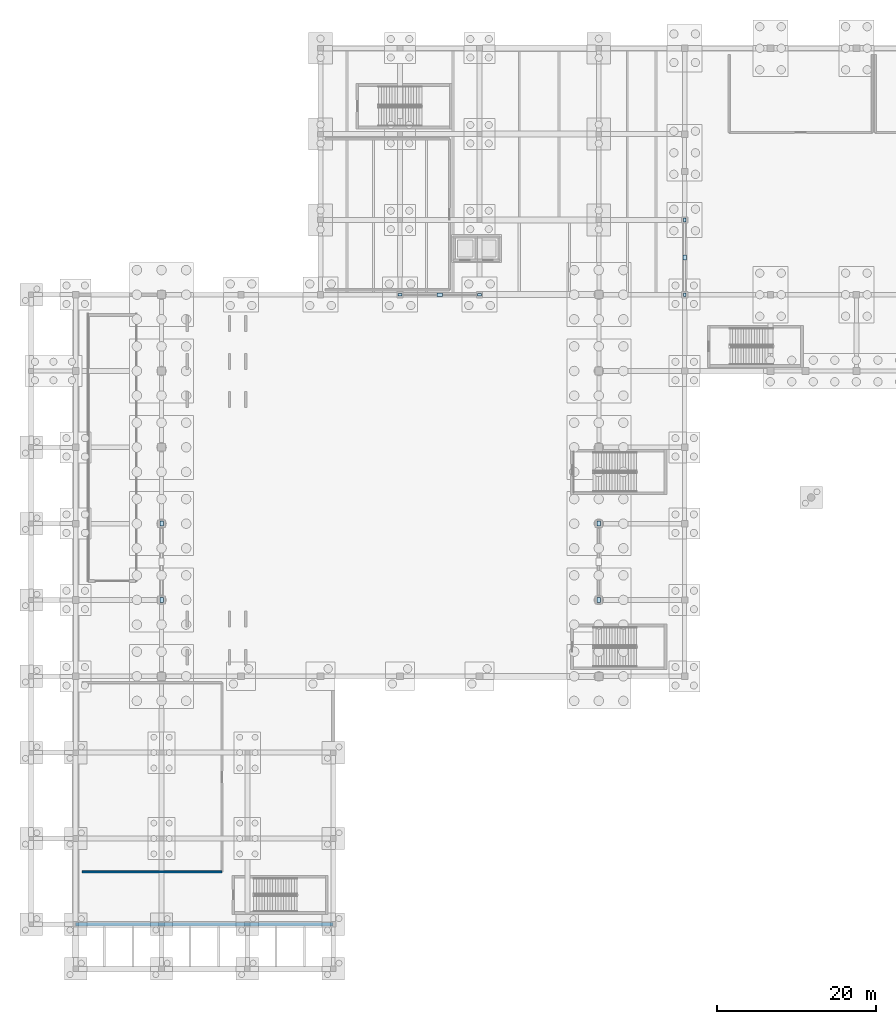
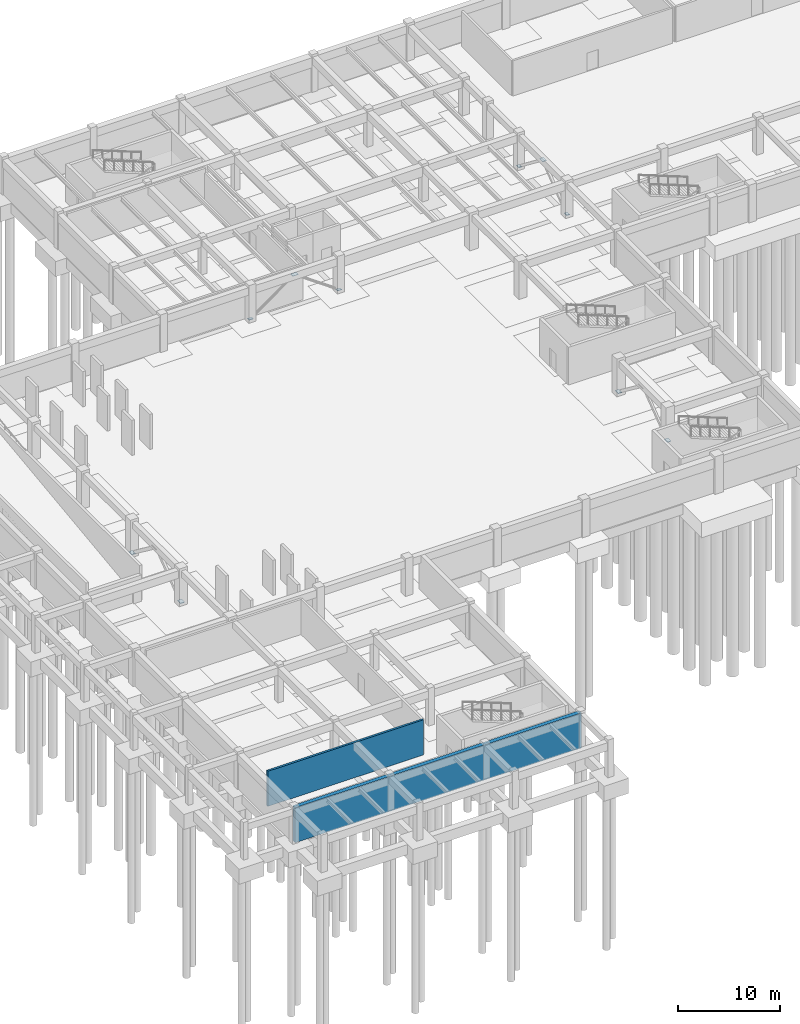
# One storey, part 13 of 33: 10 plates, 2 walls.
"""IFC4 building model written with IfcOpenShell, lengths in metres."""

import ifcopenshell
import ifcopenshell.guid

model = None  # the IFC model being written
_history = None  # IfcOwnerHistory: only IFC2X3 demands one
_inside = {}  # id of a spatial element -> (the spatial element, [elements in it])
_under = {}  # id of a project, library or spatial element -> (it, [spatial elements below it])
_declared = {}  # id of a project -> (the project, [libraries it declares])
_typed = {}  # id of a type object -> (the type object, [elements of that type])
_made_of = {}  # id of a material, layer set ... -> (it, [elements and type objects made of it])


def new_model(schema):
    """Start an empty IFC model of exactly this schema.

    Asked for "IFC4X3", IfcOpenShell would pick the latest addendum, in which some entities
    have other attributes; the version numbers below select the first issue.
    IFC2X3 requires an IfcOwnerHistory on every rooted entity: one is made here for all.
    """
    global model, _history
    if schema == "IFC4X3":
        model = ifcopenshell.file(schema_version=(4, 3, 0, 0))
    else:
        model = ifcopenshell.file(schema=schema)
    _inside.clear()
    _under.clear()
    _declared.clear()
    _typed.clear()
    _made_of.clear()
    _history = None
    if model.schema == "IFC2X3":
        org = make("IfcOrganization", Name="unknown")
        user = make(
            "IfcPersonAndOrganization",
            ThePerson=make("IfcPerson", FamilyName="unknown"),
            TheOrganization=org,
        )
        app = make(
            "IfcApplication",
            ApplicationDeveloper=org,
            Version="unknown",
            ApplicationFullName="unknown",
            ApplicationIdentifier="unknown",
        )
        _history = make(
            "IfcOwnerHistory",
            OwningUser=user,
            OwningApplication=app,
            ChangeAction="ADDED",
            CreationDate=0,
        )
    return model


def make(cls, **values):
    """One entity of the class cls with the attributes given. An attribute that is None is left unset."""
    return model.create_entity(
        cls, **{name: value for name, value in values.items() if value is not None}
    )


def rooted(cls, **values):
    """An entity with a GlobalId (a new one), such as an element, a storey or a relation."""
    return make(cls, GlobalId=ifcopenshell.guid.new(), OwnerHistory=_history, **values)


def si_unit(unit_type, name, prefix=None):
    """IfcSIUnit, for example si_unit("LENGTHUNIT", "METRE", prefix="MILLI")."""
    return make("IfcSIUnit", UnitType=unit_type, Prefix=prefix, Name=name)


def assignment(units):
    """IfcUnitAssignment: the units of a project."""
    return None if units is None else make("IfcUnitAssignment", Units=units)


def point(xyz):
    """IfcCartesianPoint."""
    return None if xyz is None else make("IfcCartesianPoint", Coordinates=xyz)


def direction(xyz):
    """IfcDirection."""
    return None if xyz is None else make("IfcDirection", DirectionRatios=xyz)


def frame(location, z_axis=None, x_axis=None):
    """IfcAxis2Placement3D, a coordinate frame: its origin and axes. An axis left out is left unset."""
    return make(
        "IfcAxis2Placement3D",
        Location=point(location),
        Axis=direction(z_axis),
        RefDirection=direction(x_axis),
    )


def frame_2d(location, x_axis=None):
    """IfcAxis2Placement2D, a coordinate frame in the plane: its origin and x axis."""
    return make(
        "IfcAxis2Placement2D", Location=point(location), RefDirection=direction(x_axis)
    )


def origin():
    """The frame at (0, 0, 0) with its axes left unset."""
    return frame((0.0, 0.0, 0.0))


def origin_2d():
    """The frame at (0, 0) in the plane with its x axis left unset."""
    return frame_2d((0.0, 0.0))


def place(relative_to, where):
    """IfcLocalPlacement: puts the frame where relative to a parent placement (None: the world)."""
    return make(
        "IfcLocalPlacement", PlacementRelTo=relative_to, RelativePlacement=where
    )


def context(
    kind, dimensions, precision=None, world=None, true_north=None, identifier=None
):
    """IfcGeometricRepresentationContext, for example the 3D "Model" context."""
    return make(
        "IfcGeometricRepresentationContext",
        ContextIdentifier=identifier,
        ContextType=kind,
        CoordinateSpaceDimension=dimensions,
        Precision=precision,
        WorldCoordinateSystem=world,
        TrueNorth=true_north,
    )


def subcontext(parent, identifier, kind, view, scale=None):
    """IfcGeometricRepresentationSubContext, for example "Body" below "Model"."""
    return make(
        "IfcGeometricRepresentationSubContext",
        ContextIdentifier=identifier,
        ContextType=kind,
        ParentContext=parent,
        TargetScale=scale,
        TargetView=view,
    )


def project(units=None, contexts=None):
    """IfcProject with its units and contexts."""
    return rooted(
        "IfcProject",
        Name="project",
        RepresentationContexts=contexts,
        UnitsInContext=assignment(units),
    )


def spatial(cls, under=None, at=None, **own):
    """A site, building, storey or space (cls), placed at a placement, below another one or the project."""
    s = rooted(cls, ObjectPlacement=at, **own)
    if under is not None:
        _under.setdefault(under.id(), (under, []))[1].append(s)
    return s


def profile(cls, at=None, kind="AREA", **sizes):
    """A parametric profile (cls). Its sizes go by their IFC names, for example OverallWidth=200.0."""
    return make(cls, ProfileType=kind, Position=at, **sizes)


def rectangle(**sizes):
    """IfcRectangleProfileDef."""
    return profile("IfcRectangleProfileDef", **sizes)


def extrude(swept, where, along, depth):
    """IfcExtrudedAreaSolid: the profile swept, set in the frame where, extruded along a direction by depth."""
    return make(
        "IfcExtrudedAreaSolid",
        SweptArea=swept,
        Position=where,
        ExtrudedDirection=direction(along),
        Depth=depth,
    )


def shape(context_of_items, identifier, shape_type, items):
    """IfcShapeRepresentation: the items that make up one representation, for example the "Body"."""
    return make(
        "IfcShapeRepresentation",
        ContextOfItems=context_of_items,
        RepresentationIdentifier=identifier,
        RepresentationType=shape_type,
        Items=items,
    )


def material(Name=None, Category=None):
    """IfcMaterial."""
    return make("IfcMaterial", Name=Name, Category=Category)


def layer(
    of_material, thickness, ventilated=None, Name=None, Category=None, Priority=None
):
    """IfcMaterialLayer: one layer of a wall or slab, of a material (None: an air gap)."""
    return make(
        "IfcMaterialLayer",
        Material=of_material,
        LayerThickness=thickness,
        IsVentilated=ventilated,
        Name=Name,
        Category=Category,
        Priority=Priority,
    )


def layer_set(layers, Name=None):
    """IfcMaterialLayerSet."""
    return make("IfcMaterialLayerSet", MaterialLayers=layers, LayerSetName=Name)


def made_of(thing, what):
    """Note that an element or type object is made of a material, layer set ...; save() writes the relation."""
    if what is not None:
        _made_of.setdefault(what.id(), (what, []))[1].append(thing)
    return thing


def type_object(cls, material=None, **own):
    """A type object (cls), such as IfcWallType, which elements share."""
    return made_of(rooted(cls, **own), material)


def element(
    cls,
    number,
    at=None,
    inside=None,
    cuts=None,
    type_object=None,
    material=None,
    context=None,
    identifier="Body",
    shape_type=None,
    held_by="IfcProductDefinitionShape",
    body=None,
    shapes=None,
    **own,
):
    """One element of the class cls, such as IfcWall. Its Tag is "e" and its number.

    at: its placement. inside: the storey or other place that contains it. cuts: it is an
    opening in that element (IfcRelVoidsElement). A single representation is given by context,
    identifier, shape_type and body (its items); several are given by shapes. held_by: the class
    of the entity that holds the representations. save() writes the other relations.
    """
    e = rooted(cls, Tag="e%d" % number, ObjectPlacement=at, **own)
    if body is not None:
        shapes = [shape(context, identifier, shape_type, body)]
    if shapes is not None:
        e.Representation = make(held_by, Representations=shapes)
    if inside is not None:
        _inside.setdefault(inside.id(), (inside, []))[1].append(e)
    if cuts is not None:
        rooted(
            "IfcRelVoidsElement", RelatingBuildingElement=cuts, RelatedOpeningElement=e
        )
    if type_object is not None:
        _typed.setdefault(type_object.id(), (type_object, []))[1].append(e)
    return made_of(e, material)


def aggregate(whole, parts):
    """IfcRelAggregates: a whole, such as a stair, and the parts it consists of."""
    return rooted("IfcRelAggregates", RelatingObject=whole, RelatedObjects=parts)


def save(model, path):
    """Write the relations noted so far, then the file.

    IfcRelAggregates (storeys below a building ...), IfcRelContainedInSpatialStructure (elements
    in a storey), IfcRelDefinesByType, IfcRelAssociatesMaterial and IfcRelDeclares: one each for
    every whole, place, type object, material and project.
    """
    for whole, parts in _under.values():
        aggregate(whole, parts)
    for where, things in _inside.values():
        rooted(
            "IfcRelContainedInSpatialStructure",
            RelatedElements=things,
            RelatingStructure=where,
        )
    for kind, things in _typed.values():
        rooted("IfcRelDefinesByType", RelatedObjects=things, RelatingType=kind)
    for what, things in _made_of.values():
        rooted("IfcRelAssociatesMaterial", RelatedObjects=things, RelatingMaterial=what)
    for by, libraries in _declared.values():
        rooted("IfcRelDeclares", RelatingContext=by, RelatedDefinitions=libraries)
    model.write(path)


model = new_model("IFC4")

# Units and contexts
model_context = context("Model", 3, precision=1e-05, world=origin(), true_north=direction((0.0, 1.0)))
body_context = subcontext(model_context, "Body", "Model", "MODEL_VIEW")
ifc_project = project(units=[si_unit("LENGTHUNIT", "METRE"), si_unit("AREAUNIT", "SQUARE_METRE"), si_unit("VOLUMEUNIT", "CUBIC_METRE"), si_unit("PLANEANGLEUNIT", "RADIAN"), si_unit("MASSUNIT", "GRAM", prefix="KILO")], contexts=[model_context])

# Site, building, storey
site_placement = place(None, origin())
site = spatial("IfcSite", under=ifc_project, at=site_placement, CompositionType="ELEMENT")
building_placement = place(site_placement, origin())
building = spatial("IfcBuilding", under=site, at=building_placement, Name="Veldera Park Congress Hotel", CompositionType="ELEMENT")
storey_placement = place(building_placement, frame((0.0, 0.0, -4.5)))
storey = spatial("IfcBuildingStorey", under=building, at=storey_placement, Name="B1", CompositionType="ELEMENT", Elevation=-4.5)

# Plates
ifc_material_1 = material(Name="Steel ASTM A572 Gr.50", Category="steel")
ifc_layer_1 = layer(ifc_material_1, 0.02197265625)
ifc_layer_set_1 = layer_set([ifc_layer_1], Name="Steel ASTM A572 Gr.50")
plate_type_1 = type_object("IfcPlateType", Name="PLT-CAP01", PredefinedType="SHEET", material=ifc_layer_set_1)
for number, where, z_axis, x_axis, name in (
    (1, (-1.60009765625, 27.0, 0.18896484375), (0.0, 0.0, 1.0), (0.0, 1.0, 0.0), "Brace Base Cap Plate 3A"),
    (2, (-1.60009765625, 36.39990234375, 0.18896484375), (0.0, 0.0, 1.0), (0.0, 1.0, 0.0), "Brace Base Cap Plate 3B"),
    (3, (-37.39990234375, 27.0, 0.18896484375), (0.0, 0.0, 1.0), (1.0, 0.0, 0.0), "Brace Base Cap Plate 4A"),
    (4, (-27.39990234375, 27.0, 0.18896484375), (0.0, 0.0, 1.0), (1.0, 0.0, 0.0), "Brace Base Cap Plate 4B"),
):
    element("IfcPlate", number, at=place(storey_placement, frame(where, z_axis=z_axis, x_axis=x_axis)), inside=storey, type_object=plate_type_1, Name=name, PredefinedType="SHEET", context=body_context, shape_type="SweptSolid", body=[
        extrude(rectangle(XDim=0.47998046875, YDim=0.340087890625, at=origin_2d()), origin(), (0.0, 0.0, 1.0), 0.02197265625),
    ])
ifc_layer_2 = layer(ifc_material_1, 0.0458984375)
ifc_layer_set_2 = layer_set([ifc_layer_2], Name="Steel ASTM A572 Gr.50")
plate_type_2 = type_object("IfcPlateType", Name="PLT-CAP03", PredefinedType="SHEET", material=ifc_layer_set_2)
for number, where, z_axis, x_axis, name in (
    (5, (-67.39990234375, -11.39990234375, 0.177001953125), (0.0, 0.0, 1.0), (0.0, 1.0, 0.0), "Brace Base Cap Plate 1A"),
    (6, (-67.39990234375, -1.800048828125, 0.177001953125), (0.0, 0.0, 1.0), (0.0, 1.0, 0.0), "Brace Base Cap Plate 1B"),
    (7, (-12.39990234375, -11.39990234375, 0.177001953125), (0.0, 0.0, 1.0), (0.0, 1.0, 0.0), "Brace Base Cap Plate 2A"),
    (8, (-12.39990234375, -1.800048828125, 0.177001953125), (0.0, 0.0, 1.0), (0.0, 1.0, 0.0), "Brace Base Cap Plate 2B"),
):
    element("IfcPlate", number, at=place(storey_placement, frame(where, z_axis=z_axis, x_axis=x_axis)), inside=storey, type_object=plate_type_2, Name=name, PredefinedType="SHEET", context=body_context, shape_type="SweptSolid", body=[
        extrude(rectangle(XDim=0.6201171875, YDim=0.43994140625, at=origin_2d()), origin(), (0.0, 0.0, 1.0), 0.0458984375),
    ])
ifc_layer_3 = layer(ifc_material_1, 0.030029296875)
ifc_layer_set_3 = layer_set([ifc_layer_3], Name="Steel ASTM A572 Gr.50")
plate_type_3 = type_object("IfcPlateType", Name="PLT-GUS02", PredefinedType="USERDEFINED", material=ifc_layer_set_3)
for number, where, z_axis, x_axis, name in (
    (9, (-1.60009765625, 31.699951171875, 3.81005859375), (0.0, 0.0, 1.0), (0.0, 1.0, 0.0), "Chevron Apex Gusset Plate 3"),
    (10, (-32.39990234375, 27.0, 3.73486328125), (0.0, 0.0, 1.0), (1.0, 0.0, 0.0), "Chevron Apex Gusset Plate 4"),
):
    element("IfcPlate", number, at=place(storey_placement, frame(where, z_axis=z_axis, x_axis=x_axis)), inside=storey, type_object=plate_type_3, Name=name, ObjectType="GUSSET PLATE", PredefinedType="USERDEFINED", context=body_context, shape_type="SweptSolid", body=[
        extrude(rectangle(XDim=0.639892578125, YDim=0.4599609375, at=origin_2d()), origin(), (0.0, 0.0, 1.0), 0.030029296875),
    ])

# Walls
ifc_material_2 = material(Name="Concrete f'c 40 MPa (5,800 psi)", Category="concrete")
ifc_layer_4 = layer(ifc_material_2, 0.239990234375)
ifc_layer_set_4 = layer_set([ifc_layer_4], Name="Concrete f'c 40 MPa (5,800 psi)")
wall_type_1 = type_object("IfcWallType", Name="IW-FIRE240", PredefinedType="STANDARD", material=ifc_layer_set_4)
wall_1_placement = place(storey_placement, frame((-77.39990234375, -45.60009765625, 0.0), z_axis=(0.0, 0.0, 1.0), x_axis=(1.0, 0.0, 0.0)))
element("IfcWall", 11, at=wall_1_placement, inside=storey, type_object=wall_type_1, Name="B1 Partition Wall IW3-B1-00015", PredefinedType="STANDARD", context=body_context, shape_type="SweptSolid", body=[
    extrude(rectangle(XDim=17.599853515625, YDim=0.239990234375, at=frame_2d((8.7998046875, 0.0))), origin(), (0.0, 0.0, 1.0), 4.199951171875),
])
ifc_layer_5 = layer(ifc_material_2, 0.449951171875)
ifc_layer_set_5 = layer_set([ifc_layer_5], Name="Concrete f'c 40 MPa (5,800 psi)")
wall_type_2 = type_object("IfcWallType", Name="SW-RET450", PredefinedType="USERDEFINED", material=ifc_layer_set_5)
wall_2_placement = place(storey_placement, frame((-78.199951171875, -52.199951171875, 0.0), z_axis=(0.0, 0.0, 1.0), x_axis=(1.0, 0.0, 0.0)))
element("IfcWall", 12, at=wall_2_placement, inside=storey, type_object=wall_type_2, Name="Basement Retaining Wall 1", ObjectType="RETAININGWALL", PredefinedType="USERDEFINED", context=body_context, shape_type="SweptSolid", body=[
    extrude(rectangle(XDim=32.39990234375, YDim=0.449951171875, at=frame_2d((16.199951171875, 0.0))), origin(), (0.0, 0.0, 1.0), 4.199951171875),
])

save(model, "model.ifc")
